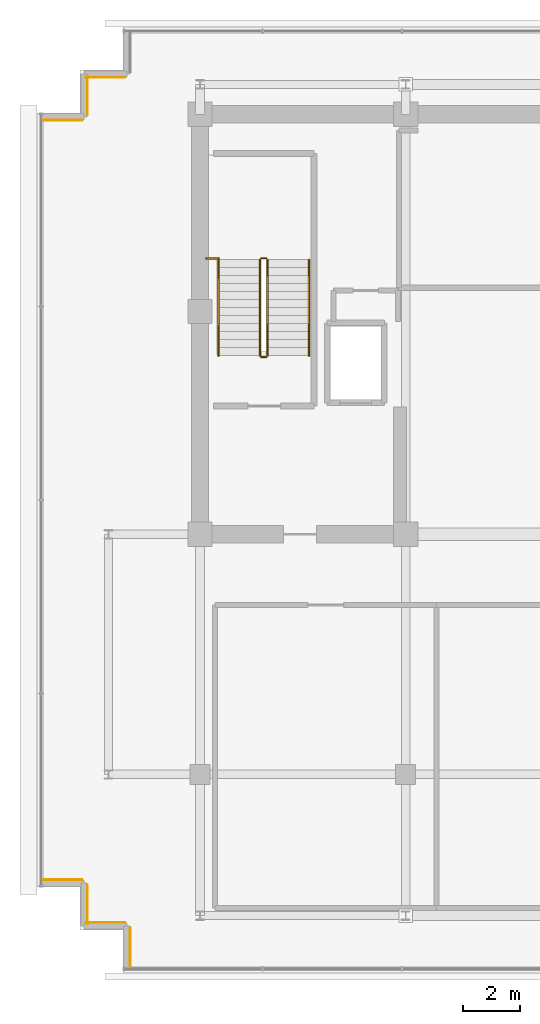
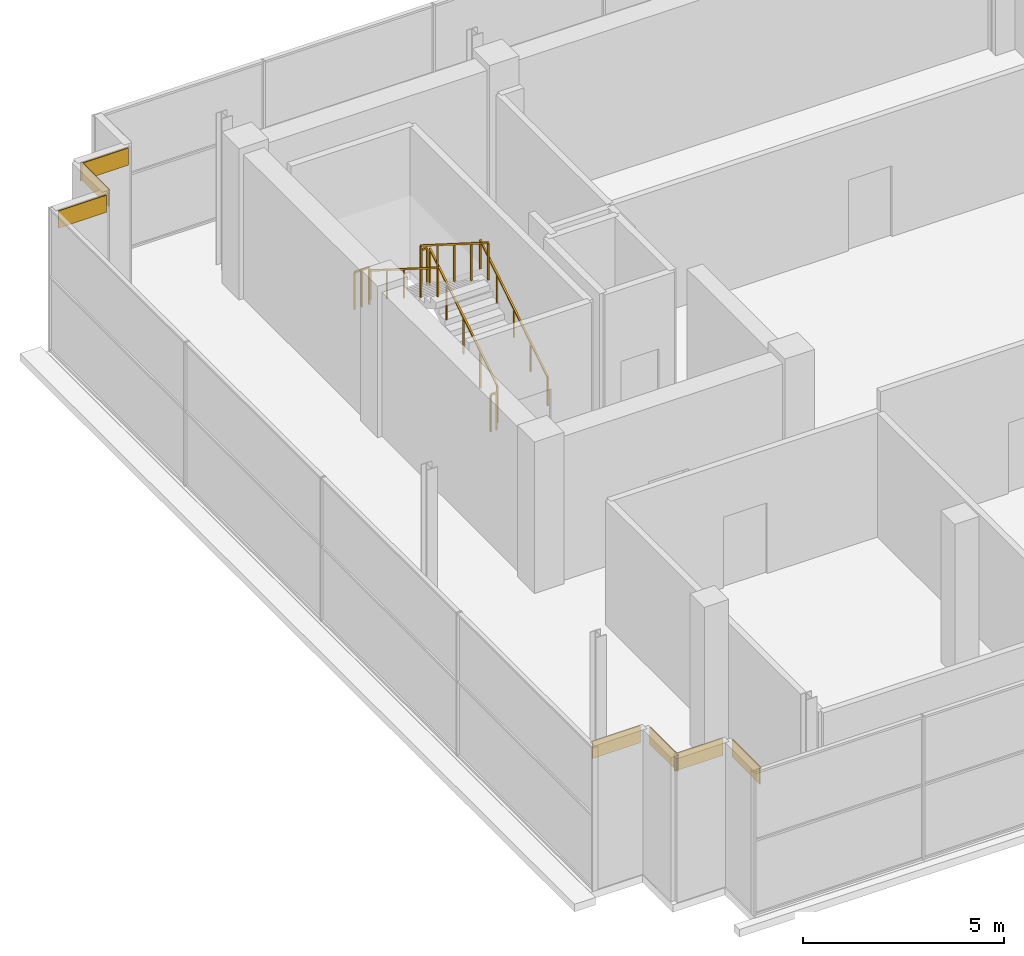
# One storey, part 26 of 28: 7 coverings, 7 railings.
"""IFC4 building model written with IfcOpenShell, lengths in metres."""

from ifc_helpers import new_model, si_unit, direction, frame, origin, origin_2d, place, context, subcontext, project, spatial, rectangle, extrude, source, transform, mapped, material, layer, layer_set, type_object, element, save


model = new_model("IFC4")

# Units and contexts
model_context = context("Model", 3, precision=1e-05, world=origin(), true_north=direction((0.0, 1.0)))
body_context = subcontext(model_context, "Body", "Model", "MODEL_VIEW")
ifc_project = project(units=[si_unit("LENGTHUNIT", "METRE"), si_unit("AREAUNIT", "SQUARE_METRE"), si_unit("VOLUMEUNIT", "CUBIC_METRE"), si_unit("PLANEANGLEUNIT", "RADIAN"), si_unit("MASSUNIT", "GRAM", prefix="KILO")], contexts=[model_context])

# Site, building, storey
site_placement = place(None, origin())
site = spatial("IfcSite", under=ifc_project, at=site_placement, CompositionType="ELEMENT")
building_placement = place(site_placement, origin())
building = spatial("IfcBuilding", under=site, at=building_placement, Name="Zarnakvel Exchange Tower", CompositionType="ELEMENT")
storey_placement = place(building_placement, frame((0.0, 0.0, 276.199951171875)))
storey = spatial("IfcBuildingStorey", under=building, at=storey_placement, Name="Crown L78", CompositionType="ELEMENT", Elevation=276.199951171875)

# Railings
ifc_material_1 = material(Name="Brushed Stainless Steel", Category="steel")
railing_type_1 = type_object("IfcRailingType", Name="HR-01", PredefinedType="HANDRAIL", material=ifc_material_1)
railing_1_placement = place(storey_placement, frame((-10.590087890625, 5.050048828125, 0.177001953125)))
element("IfcRailing", 1, at=railing_1_placement, inside=storey, type_object=railing_type_1, Name="Crown L78 ST-01 stair handrail 1", PredefinedType="HANDRAIL", context=body_context, shape_type="SweptSolid", body=[
    extrude(rectangle(XDim=0.048095703125, YDim=0.048095703125, at=origin_2d()), frame((0.0, 0.0, 0.8759765625), z_axis=(0.0, 0.845372108799, 0.534177870812), x_axis=(-1.0, 0.0, 0.0)), (0.0, 0.0, 1.0), 3.974365234375),
    extrude(rectangle(XDim=0.0419921875, YDim=0.0419921875, at=origin_2d()), origin(), (0.0, 0.0, 1.0), 0.851806640625),
    extrude(rectangle(XDim=0.0419921875, YDim=0.0419921875, at=origin_2d()), frame((0.0, 0.83984375, 0.53076171875)), (0.0, 0.0, 1.0), 0.851806640625),
    extrude(rectangle(XDim=0.0419921875, YDim=0.0419921875, at=origin_2d()), frame((0.0, 1.679931640625, 1.0615234375)), (0.0, 0.0, 1.0), 0.851806640625),
    extrude(rectangle(XDim=0.0419921875, YDim=0.0419921875, at=origin_2d()), frame((0.0, 2.52001953125, 1.59228515625)), (0.0, 0.0, 1.0), 0.851806640625),
    extrude(rectangle(XDim=0.0419921875, YDim=0.0419921875, at=origin_2d()), frame((0.0, 3.35986328125, 2.123046875)), (0.0, 0.0, 1.0), 0.851806640625),
])
railing_2_placement = place(storey_placement, frame((-13.75, 8.409912109375, 2.47705078125)))
element("IfcRailing", 2, at=railing_2_placement, inside=storey, type_object=railing_type_1, Name="Crown L78 ST-01 stair handrail 2", PredefinedType="HANDRAIL", context=body_context, shape_type="SweptSolid", body=[
    extrude(rectangle(XDim=0.048095703125, YDim=0.048095703125, at=origin_2d()), frame((0.0, 0.0, 0.8759765625), z_axis=(0.0, -0.845372108799, 0.534177870812), x_axis=(1.0, 0.0, 0.0)), (0.0, 0.0, 1.0), 3.974365234375),
    extrude(rectangle(XDim=0.0419921875, YDim=0.0419921875, at=origin_2d()), origin(), (0.0, 0.0, 1.0), 0.851806640625),
    extrude(rectangle(XDim=0.0419921875, YDim=0.0419921875, at=origin_2d()), frame((0.0, -0.83984375, 0.53076171875)), (0.0, 0.0, 1.0), 0.851806640625),
    extrude(rectangle(XDim=0.0419921875, YDim=0.0419921875, at=origin_2d()), frame((0.0, -1.679931640625, 1.0615234375)), (0.0, 0.0, 1.0), 0.851806640625),
    extrude(rectangle(XDim=0.0419921875, YDim=0.0419921875, at=origin_2d()), frame((0.0, -2.52001953125, 1.59228515625)), (0.0, 0.0, 1.0), 0.851806640625),
    extrude(rectangle(XDim=0.0419921875, YDim=0.0419921875, at=origin_2d()), frame((0.0, -3.35986328125, 2.123046875)), (0.0, 0.0, 1.0), 0.851806640625),
])
ifc_material_2 = material(Name="Architectural Bronze Anodised Aluminium", Category="aluminium")
railing_type_2 = type_object("IfcRailingType", Name="SG-01", PredefinedType="GUARDRAIL", material=ifc_material_2)
railing_3_placement = place(storey_placement, frame((-12.0400390625, 5.050048828125, 0.177001953125)))
element("IfcRailing", 3, at=railing_3_placement, inside=storey, type_object=railing_type_2, Name="Crown L78 ST-01 stair guard 1", PredefinedType="GUARDRAIL", context=body_context, shape_type="SweptSolid", body=[
    extrude(rectangle(XDim=0.048095703125, YDim=0.048095703125, at=origin_2d()), frame((0.0, 0.0, 1.1259765625), z_axis=(0.0, 0.845372108799, 0.534177870812), x_axis=(-1.0, 0.0, 0.0)), (0.0, 0.0, 1.0), 3.974365234375),
    extrude(rectangle(XDim=0.0419921875, YDim=0.0419921875, at=origin_2d()), origin(), (0.0, 0.0, 1.0), 1.101806640625),
    extrude(rectangle(XDim=0.0419921875, YDim=0.0419921875, at=origin_2d()), frame((0.0, 0.83984375, 0.53076171875)), (0.0, 0.0, 1.0), 1.101806640625),
    extrude(rectangle(XDim=0.0419921875, YDim=0.0419921875, at=origin_2d()), frame((0.0, 1.679931640625, 1.0615234375)), (0.0, 0.0, 1.0), 1.101806640625),
    extrude(rectangle(XDim=0.0419921875, YDim=0.0419921875, at=origin_2d()), frame((0.0, 2.52001953125, 1.59228515625)), (0.0, 0.0, 1.0), 1.101806640625),
    extrude(rectangle(XDim=0.0419921875, YDim=0.0419921875, at=origin_2d()), frame((0.0, 3.35986328125, 2.123046875)), (0.0, 0.0, 1.0), 1.101806640625),
])
railing_4_placement = place(storey_placement, frame((-12.090087890625, 8.4599609375, 2.300048828125)))
element("IfcRailing", 4, at=railing_4_placement, inside=storey, type_object=railing_type_2, Name="Crown L78 ST-01 stair guard 2", PredefinedType="GUARDRAIL", context=body_context, shape_type="SweptSolid", body=[
    extrude(rectangle(XDim=0.048095703125, YDim=0.048095703125, at=origin_2d()), frame((0.0, 0.0, 1.1259765625), z_axis=(-1.0, 0.0, 0.0), x_axis=(0.0, -1.0, 0.0)), (0.0, 0.0, 1.0), 0.159912109375),
    extrude(rectangle(XDim=0.0419921875, YDim=0.0419921875, at=origin_2d()), origin(), (0.0, 0.0, 1.0), 1.101806640625),
    extrude(rectangle(XDim=0.0419921875, YDim=0.0419921875, at=origin_2d()), frame((-0.159912109375, 0.0, 0.0)), (0.0, 0.0, 1.0), 1.101806640625),
])
railing_5_placement = place(storey_placement, frame((-12.300048828125, 8.409912109375, 2.47705078125)))
element("IfcRailing", 5, at=railing_5_placement, inside=storey, type_object=railing_type_2, Name="Crown L78 ST-01 stair guard 3", PredefinedType="GUARDRAIL", context=body_context, shape_type="SweptSolid", body=[
    extrude(rectangle(XDim=0.048095703125, YDim=0.048095703125, at=origin_2d()), frame((0.0, 0.0, 1.1259765625), z_axis=(0.0, -0.845372108799, 0.534177870812), x_axis=(1.0, 0.0, 0.0)), (0.0, 0.0, 1.0), 3.974365234375),
    extrude(rectangle(XDim=0.0419921875, YDim=0.0419921875, at=origin_2d()), origin(), (0.0, 0.0, 1.0), 1.101806640625),
    extrude(rectangle(XDim=0.0419921875, YDim=0.0419921875, at=origin_2d()), frame((0.0, -0.83984375, 0.53076171875)), (0.0, 0.0, 1.0), 1.101806640625),
    extrude(rectangle(XDim=0.0419921875, YDim=0.0419921875, at=origin_2d()), frame((0.0, -1.679931640625, 1.0615234375)), (0.0, 0.0, 1.0), 1.101806640625),
    extrude(rectangle(XDim=0.0419921875, YDim=0.0419921875, at=origin_2d()), frame((0.0, -2.52001953125, 1.59228515625)), (0.0, 0.0, 1.0), 1.101806640625),
    extrude(rectangle(XDim=0.0419921875, YDim=0.0419921875, at=origin_2d()), frame((0.0, -3.35986328125, 2.123046875)), (0.0, 0.0, 1.0), 1.101806640625),
])
railing_6_placement = place(storey_placement, frame((-12.090087890625, 5.0, 0.0)))
element("IfcRailing", 6, at=railing_6_placement, inside=storey, type_object=railing_type_2, Name="Crown L78 ST-01 stair guard 4", PredefinedType="GUARDRAIL", context=body_context, shape_type="SweptSolid", body=[
    extrude(rectangle(XDim=0.048095703125, YDim=0.048095703125, at=origin_2d()), frame((0.0, 0.0, 1.1259765625), z_axis=(-1.0, 0.0, 0.0), x_axis=(0.0, -1.0, 0.0)), (0.0, 0.0, 1.0), 0.159912109375),
    extrude(rectangle(XDim=0.0419921875, YDim=0.0419921875, at=origin_2d()), origin(), (0.0, 0.0, 1.0), 1.101806640625),
    extrude(rectangle(XDim=0.0419921875, YDim=0.0419921875, at=origin_2d()), frame((-0.159912109375, 0.0, 0.0)), (0.0, 0.0, 1.0), 1.101806640625),
])
railing_7_placement = place(storey_placement, frame((-14.179931640625, 8.449951171875, 2.300048828125)))
element("IfcRailing", 7, at=railing_7_placement, inside=storey, type_object=railing_type_2, Name="Crown L78 ST-01 Landing Slot Guardrail", PredefinedType="GUARDRAIL", context=body_context, shape_type="SweptSolid", body=[
    extrude(rectangle(XDim=0.048095703125, YDim=0.048095703125, at=origin_2d()), frame((0.0, 0.0, 1.1259765625), z_axis=(1.0, 0.0, 0.0), x_axis=(0.0, 1.0, 0.0)), (0.0, 0.0, 1.0), 0.429931640625),
    extrude(rectangle(XDim=0.0419921875, YDim=0.0419921875, at=origin_2d()), origin(), (0.0, 0.0, 1.0), 1.101806640625),
    extrude(rectangle(XDim=0.0419921875, YDim=0.0419921875, at=origin_2d()), frame((0.21484375, 0.0, 0.0)), (0.0, 0.0, 1.0), 1.101806640625),
    extrude(rectangle(XDim=0.0419921875, YDim=0.0419921875, at=origin_2d()), frame((0.429931640625, 0.0, 0.0)), (0.0, 0.0, 1.0), 1.101806640625),
])

# Coverings
ifc_material_3 = material(Name="Glazed Turquoise Ceramic Architectural Tile", Category="ceramic")
ifc_layer = layer(ifc_material_3, 0.028076171875)
ifc_layer_set = layer_set([ifc_layer], Name="Glazed Turquoise Ceramic Architectural Tile")
covering_type = type_object("IfcCoveringType", Name="CL-01", PredefinedType="CLADDING", material=ifc_layer_set)
shared_shape = source(origin(), body_context, "Body", "SweptSolid", [
    extrude(rectangle(XDim=1.3798828125, YDim=0.028076171875, at=origin_2d()), origin(), (0.0, 0.0, 1.0), 0.52001953125),
])
for number, where, z_axis, x_axis, name in (
    (8, (-19.2099609375, 13.2880859375, 3.840087890625), (0.0, 0.0, 1.0), (-1.0, 0.0, 0.0), "Crown L78 Ceramic Spandrel Tilework CL-01"),
    (9, (-18.337890625, 14.159912109375, 3.840087890625), (0.0, 0.0, 1.0), (0.0, -1.0, 0.0), "Crown L78 Ceramic Spandrel Tilework CL-01"),
    (10, (-17.7099609375, 14.7880859375, 3.840087890625), (0.0, 0.0, 1.0), (-1.0, 0.0, 0.0), "Crown L78 Ceramic Spandrel Tilework CL-01"),
    (11, (-16.837890625, -15.659912109375, 3.840087890625), (0.0, 0.0, 1.0), (0.0, -1.0, 0.0), "Crown L78 Ceramic Spandrel Tilework CL-01"),
    (12, (-17.7099609375, -14.7880859375, 3.840087890625), (0.0, 0.0, 1.0), (1.0, 0.0, 0.0), "Crown L78 Ceramic Spandrel Tilework CL-01"),
    (13, (-18.337890625, -14.159912109375, 3.840087890625), (0.0, 0.0, 1.0), (0.0, -1.0, 0.0), "Crown L78 Ceramic Spandrel Tilework CL-01"),
    (14, (-19.2099609375, -13.2880859375, 3.840087890625), (0.0, 0.0, 1.0), (1.0, 0.0, 0.0), "Crown L78 Ceramic Spandrel Tilework CL-01"),
):
    element("IfcCovering", number, at=place(storey_placement, frame(where, z_axis=z_axis, x_axis=x_axis)), inside=storey, type_object=covering_type, Name=name, PredefinedType="CLADDING", context=body_context, shape_type="MappedRepresentation", body=[
        mapped(shared_shape, transform((0.0, 0.0, 0.0), x_axis=(1.0, 0.0, 0.0), y_axis=(0.0, 1.0, 0.0), z_axis=(0.0, 0.0, 1.0), scale=1.0)),
    ])

save(model, "model.ifc")
